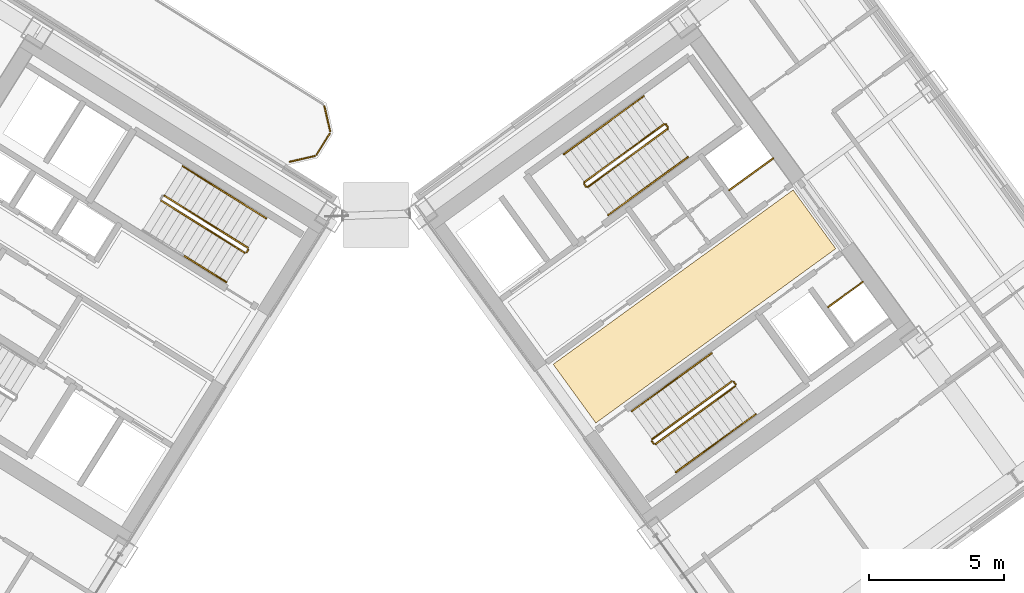
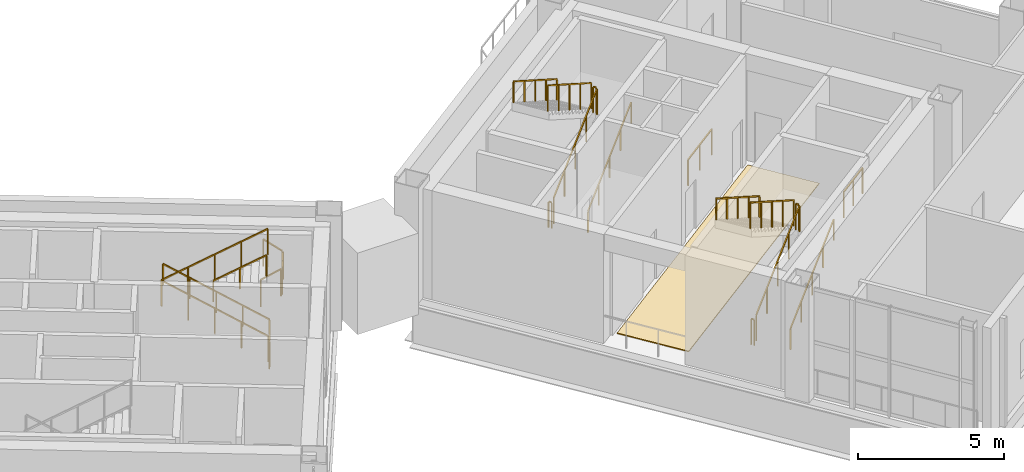
# One storey, part 21 of 22: 27 railings, 1 covering.
"""IFC4 building model written with IfcOpenShell, lengths in metres."""

from ifc_helpers import new_model, si_unit, direction, frame, origin, origin_2d, place, context, subcontext, project, spatial, polyline, rectangle, outline, extrude, source, transform, mapped, material, layer, layer_set, type_object, element, save


model = new_model("IFC4")

# Units and contexts
model_context = context("Model", 3, precision=1e-05, world=origin(), true_north=direction((0.0, 1.0)))
body_context = subcontext(model_context, "Body", "Model", "MODEL_VIEW")
ifc_project = project(units=[si_unit("LENGTHUNIT", "METRE"), si_unit("AREAUNIT", "SQUARE_METRE"), si_unit("VOLUMEUNIT", "CUBIC_METRE"), si_unit("PLANEANGLEUNIT", "RADIAN"), si_unit("MASSUNIT", "GRAM", prefix="KILO")], contexts=[model_context])

# Site, building, storey
site_placement = place(None, origin())
site = spatial("IfcSite", under=ifc_project, at=site_placement, CompositionType="ELEMENT")
building_placement = place(site_placement, origin())
building = spatial("IfcBuilding", under=site, at=building_placement, Name="Tlacorven Tower", CompositionType="ELEMENT")
storey_placement = place(building_placement, frame((0.0, 0.0, 127.800048828125)))
storey = spatial("IfcBuildingStorey", under=building, at=storey_placement, Name="L32", CompositionType="ELEMENT", Elevation=127.800048828125)

# Covering
ifc_material_1 = material(Name="Terrazzo and ceramic flooring")
ifc_layer = layer(ifc_material_1, 0.0400390625)
ifc_layer_set = layer_set([ifc_layer], Name="Terrazzo and ceramic flooring")
covering_type = type_object("IfcCoveringType", Name="CV-FLR-TERZ", PredefinedType="FLOORING", material=ifc_layer_set)
covering_placement = place(storey_placement, origin())
element("IfcCovering", 1, at=covering_placement, inside=storey, type_object=covering_type, Name="L32 Terrazzo Floor Finish 4", PredefinedType="FLOORING", context=body_context, shape_type="SweptSolid", body=[
    extrude(outline(polyline([(50.57080078125, 16.834228515625), (48.99560546875, 19.00244140625), (57.8623046875, 25.444580078125), (59.437744140625, 23.2763671875), (50.57080078125, 16.834228515625)])), origin(), (0.0, 0.0, 1.0), 0.0400390625),
])

# Railings
ifc_material_2 = material(Name="Aluminium and painted steel balustrade", Category="steel")
railing_type_1 = type_object("IfcRailingType", Name="RL-GRD-1100", PredefinedType="GUARDRAIL", material=ifc_material_2)
shared_shape_1 = source(origin(), body_context, "Body", "SweptSolid", [
    extrude(rectangle(XDim=0.048095703125, YDim=0.048095703125, at=origin_2d()), frame((0.0, 0.0, 1.076171875), z_axis=(0.808947177504, 0.587881334972, 0.0), x_axis=(-0.587881334972, 0.808947177504, 0.0)), (0.0, 0.0, 1.0), 2.0),
    extrude(rectangle(XDim=0.0419921875, YDim=0.0419921875, at=origin_2d()), origin(), (0.0, 0.0, 1.0), 1.052001953125),
    extrude(rectangle(XDim=0.0419921875, YDim=0.0419921875, at=origin_2d()), frame((0.80908203125, 0.587890625, 0.0)), (0.0, 0.0, 1.0), 1.052001953125),
    extrude(rectangle(XDim=0.0419921875, YDim=0.0419921875, at=origin_2d()), frame((1.617919921875, 1.17578125, 0.0)), (0.0, 0.0, 1.0), 1.052001953125),
])
railing_1_placement = place(storey_placement, frame((55.506103515625, 25.438232421875, 0.0)))
element("IfcRailing", 2, at=railing_1_placement, inside=storey, type_object=railing_type_1, Name="L32 Electrical Riser E Shaft Guard 1", PredefinedType="GUARDRAIL", context=body_context, shape_type="MappedRepresentation", body=[
    mapped(shared_shape_1, transform((0.0, 0.0, 0.0), scale=1.0)),
])
shared_shape_2 = source(origin(), body_context, "Body", "SweptSolid", [
    extrude(rectangle(XDim=0.048095703125, YDim=0.048095703125, at=origin_2d()), frame((0.0, 0.0, 1.076171875), z_axis=(0.809029975545, 0.58776738483, 0.0), x_axis=(-0.58776738483, 0.809029975545, 0.0)), (0.0, 0.0, 1.0), 1.580078125),
    extrude(rectangle(XDim=0.0419921875, YDim=0.0419921875, at=origin_2d()), origin(), (0.0, 0.0, 1.0), 1.052001953125),
    extrude(rectangle(XDim=0.0419921875, YDim=0.0419921875, at=origin_2d()), frame((0.63916015625, 0.46435546875, 0.0)), (0.0, 0.0, 1.0), 1.052001953125),
    extrude(rectangle(XDim=0.0419921875, YDim=0.0419921875, at=origin_2d()), frame((1.2783203125, 0.9287109375, 0.0)), (0.0, 0.0, 1.0), 1.052001953125),
])
railing_2_placement = place(storey_placement, frame((59.160888671875, 21.122314453125, 0.0)))
element("IfcRailing", 3, at=railing_2_placement, inside=storey, type_object=railing_type_1, Name="L32 Smoke Riser E Shaft Guard 1", PredefinedType="GUARDRAIL", context=body_context, shape_type="MappedRepresentation", body=[
    mapped(shared_shape_2, transform((0.0, 0.0, 0.0), scale=1.0)),
])
railing_type_2 = type_object("IfcRailingType", Name="RL-GRD-1150", PredefinedType="GUARDRAIL", material=ifc_material_2)
shared_shape_3 = source(origin(), body_context, "Body", "SweptSolid", [
    extrude(rectangle(XDim=0.048095703125, YDim=0.048095703125, at=origin_2d()), frame((0.0, 0.0, 1.1259765625), z_axis=(0.224690328384, -0.974430221376, 0.0), x_axis=(0.974430221376, 0.224690328384, 0.0)), (0.0, 0.0, 1.0), 0.948486328125),
    extrude(rectangle(XDim=0.0419921875, YDim=0.0419921875, at=origin_2d()), origin(), (0.0, 0.0, 1.0), 1.101806640625),
    extrude(rectangle(XDim=0.0419921875, YDim=0.0419921875, at=origin_2d()), frame((0.213134765625, -0.92431640625, 0.0)), (0.0, 0.0, 1.0), 1.101806640625),
])
railing_3_placement = place(storey_placement, frame((40.538330078125, 28.541748046875, 0.0)))
element("IfcRailing", 4, at=railing_3_placement, inside=storey, type_object=railing_type_2, Name="TER-L32-SGW Guard Railing 1", PredefinedType="GUARDRAIL", context=body_context, shape_type="MappedRepresentation", body=[
    mapped(shared_shape_3, transform((0.0, 0.0, 0.0), scale=1.0)),
])
shared_shape_4 = source(origin(), body_context, "Body", "SweptSolid", [
    extrude(rectangle(XDim=0.048095703125, YDim=0.048095703125, at=origin_2d()), frame((0.0, 0.0, 1.1259765625), z_axis=(-0.52987865805, -0.848073468364, 0.0), x_axis=(0.848073468364, -0.52987865805, 0.0)), (0.0, 0.0, 1.0), 0.912353515625),
    extrude(rectangle(XDim=0.0419921875, YDim=0.0419921875, at=origin_2d()), origin(), (0.0, 0.0, 1.0), 1.101806640625),
    extrude(rectangle(XDim=0.0419921875, YDim=0.0419921875, at=origin_2d()), frame((-0.4833984375, -0.773681640625, 0.0)), (0.0, 0.0, 1.0), 1.101806640625),
])
railing_4_placement = place(storey_placement, frame((40.736328125, 27.5263671875, 0.0)))
element("IfcRailing", 5, at=railing_4_placement, inside=storey, type_object=railing_type_2, Name="TER-L32-SGW Guard Railing 2", PredefinedType="GUARDRAIL", context=body_context, shape_type="MappedRepresentation", body=[
    mapped(shared_shape_4, transform((0.0, 0.0, 0.0), scale=1.0)),
])
shared_shape_5 = source(origin(), body_context, "Body", "SweptSolid", [
    extrude(rectangle(XDim=0.048095703125, YDim=0.048095703125, at=origin_2d()), frame((0.0, 0.0, 1.1259765625), z_axis=(-0.974373842523, -0.224934690535, 0.0), x_axis=(0.224934690535, -0.974373842523, 0.0)), (0.0, 0.0, 1.0), 0.94873046875),
    extrude(rectangle(XDim=0.0419921875, YDim=0.0419921875, at=origin_2d()), origin(), (0.0, 0.0, 1.0), 1.101806640625),
    extrude(rectangle(XDim=0.0419921875, YDim=0.0419921875, at=origin_2d()), frame((-0.92431640625, -0.21337890625, 0.0)), (0.0, 0.0, 1.0), 1.101806640625),
])
railing_5_placement = place(storey_placement, frame((40.177734375, 26.69921875, 0.0)))
element("IfcRailing", 6, at=railing_5_placement, inside=storey, type_object=railing_type_2, Name="TER-L32-SGW Guard Railing 3", PredefinedType="GUARDRAIL", context=body_context, shape_type="MappedRepresentation", body=[
    mapped(shared_shape_5, transform((0.0, 0.0, 0.0), scale=1.0)),
])
shared_shape_6 = source(origin(), body_context, "Body", "SweptSolid", [
    extrude(rectangle(XDim=0.048095703125, YDim=0.048095703125, at=origin_2d()), frame((0.0, 0.0, 1.076171875), z_axis=(-0.723262235119, 0.451953093932, 0.522139962209), x_axis=(-0.529926592015, -0.848043517206, 0.0)), (0.0, 0.0, 1.0), 4.26806640625),
    extrude(rectangle(XDim=0.0419921875, YDim=0.0419921875, at=origin_2d()), origin(), (0.0, 0.0, 1.0), 1.052001953125),
    extrude(rectangle(XDim=0.0419921875, YDim=0.0419921875, at=origin_2d()), frame((-0.771728515625, 0.482177734375, 0.55712890625)), (0.0, 0.0, 1.0), 1.052001953125),
    extrude(rectangle(XDim=0.0419921875, YDim=0.0419921875, at=origin_2d()), frame((-1.54345703125, 0.96435546875, 1.1142578125)), (0.0, 0.0, 1.0), 1.052001953125),
    extrude(rectangle(XDim=0.0419921875, YDim=0.0419921875, at=origin_2d()), frame((-2.315185546875, 1.44677734375, 1.67138671875)), (0.0, 0.0, 1.0), 1.052001953125),
    extrude(rectangle(XDim=0.0419921875, YDim=0.0419921875, at=origin_2d()), frame((-3.0869140625, 1.928955078125, 2.228515625)), (0.0, 0.0, 1.0), 1.052001953125),
])
railing_6_placement = place(storey_placement, frame((37.712158203125, 23.3095703125, 0.17138671875)))
element("IfcRailing", 7, at=railing_6_placement, inside=storey, type_object=railing_type_1, Name="L32 ST-W2 stair guard 1", PredefinedType="GUARDRAIL", context=body_context, shape_type="MappedRepresentation", body=[
    mapped(shared_shape_6, transform((0.0, 0.0, 0.0), scale=1.0)),
])
railing_type_3 = type_object("IfcRailingType", Name="RL-HND-0900", PredefinedType="HANDRAIL", material=ifc_material_2)
shared_shape_7 = source(origin(), body_context, "Body", "SweptSolid", [
    extrude(rectangle(XDim=0.048095703125, YDim=0.048095703125, at=origin_2d()), frame((0.0, 0.0, 0.8759765625), z_axis=(-0.723243536433, 0.451998610004, 0.522126463189), x_axis=(-0.529974825293, -0.848013375222, 0.0)), (0.0, 0.0, 1.0), 2.134033203125),
    extrude(rectangle(XDim=0.0419921875, YDim=0.0419921875, at=origin_2d()), origin(), (0.0, 0.0, 1.0), 0.851806640625),
    extrude(rectangle(XDim=0.0419921875, YDim=0.0419921875, at=origin_2d()), frame((-0.771728515625, 0.482421875, 0.55712890625)), (0.0, 0.0, 1.0), 0.851806640625),
    extrude(rectangle(XDim=0.0419921875, YDim=0.0419921875, at=origin_2d()), frame((-1.54345703125, 0.964599609375, 1.1142578125)), (0.0, 0.0, 1.0), 0.851806640625),
])
railing_7_placement = place(storey_placement, frame((36.84716796875, 25.359375, 1.28564453125)))
element("IfcRailing", 8, at=railing_7_placement, inside=storey, type_object=railing_type_3, Name="L32 ST-W2 stair handrail 2", PredefinedType="HANDRAIL", context=body_context, shape_type="MappedRepresentation", body=[
    mapped(shared_shape_7, transform((0.0, 0.0, 0.0), scale=1.0)),
])
shared_shape_8 = source(origin(), body_context, "Body", "SweptSolid", [
    extrude(rectangle(XDim=0.048095703125, YDim=0.048095703125, at=origin_2d()), frame((0.0, 0.0, 0.8759765625), z_axis=(-0.723280932889, 0.45190757433, 0.522153460567), x_axis=(-0.529878353595, -0.848073658589, 0.0)), (0.0, 0.0, 1.0), 2.134033203125),
    extrude(rectangle(XDim=0.0419921875, YDim=0.0419921875, at=origin_2d()), origin(), (0.0, 0.0, 1.0), 0.851806640625),
    extrude(rectangle(XDim=0.0419921875, YDim=0.0419921875, at=origin_2d()), frame((-0.771728515625, 0.482177734375, 0.55712890625)), (0.0, 0.0, 1.0), 0.851806640625),
    extrude(rectangle(XDim=0.0419921875, YDim=0.0419921875, at=origin_2d()), frame((-1.54345703125, 0.96435546875, 1.1142578125)), (0.0, 0.0, 1.0), 0.851806640625),
])
railing_8_placement = place(storey_placement, frame((38.390625, 24.39501953125, 0.17138671875)))
element("IfcRailing", 9, at=railing_8_placement, inside=storey, type_object=railing_type_3, Name="L32 ST-W2 stair handrail 1", PredefinedType="HANDRAIL", context=body_context, shape_type="MappedRepresentation", body=[
    mapped(shared_shape_8, transform((0.0, 0.0, 0.0), scale=1.0)),
])
shared_shape_9 = source(origin(), body_context, "Body", "SweptSolid", [
    extrude(rectangle(XDim=0.048095703125, YDim=0.048095703125, at=origin_2d()), frame((0.0, 0.0, 1.076171875), z_axis=(-0.530546985787, -0.847655529016, 0.0), x_axis=(0.847655529016, -0.530546985787, 0.0)), (0.0, 0.0, 1.0), 0.1201171875),
    extrude(rectangle(XDim=0.0419921875, YDim=0.0419921875, at=origin_2d()), origin(), (0.0, 0.0, 1.0), 1.052001953125),
    extrude(rectangle(XDim=0.0419921875, YDim=0.0419921875, at=origin_2d()), frame((-0.063720703125, -0.101806640625, 0.0)), (0.0, 0.0, 1.0), 1.052001953125),
])
railing_9_placement = place(storey_placement, frame((37.728271484375, 23.24072265625, 0.0)))
element("IfcRailing", 10, at=railing_9_placement, inside=storey, type_object=railing_type_1, Name="L32 ST-W2 stair guard 4", PredefinedType="GUARDRAIL", context=body_context, shape_type="MappedRepresentation", body=[
    mapped(shared_shape_9, transform((0.0, 0.0, 0.0), scale=1.0)),
])
shared_shape_10 = source(origin(), body_context, "Body", "SweptSolid", [
    extrude(rectangle(XDim=0.048095703125, YDim=0.048095703125, at=origin_2d()), frame((0.0, 0.0, 1.076171875), z_axis=(0.723259328995, -0.451894076168, 0.522195065992), x_axis=(0.529878353595, 0.848073658589, 0.0)), (0.0, 0.0, 1.0), 4.26806640625),
    extrude(rectangle(XDim=0.0419921875, YDim=0.0419921875, at=origin_2d()), origin(), (0.0, 0.0, 1.0), 1.052001953125),
    extrude(rectangle(XDim=0.0419921875, YDim=0.0419921875, at=origin_2d()), frame((0.771728515625, -0.482177734375, 0.55712890625)), (0.0, 0.0, 1.0), 1.052001953125),
    extrude(rectangle(XDim=0.0419921875, YDim=0.0419921875, at=origin_2d()), frame((1.54345703125, -0.96435546875, 1.1142578125)), (0.0, 0.0, 1.0), 1.052001953125),
    extrude(rectangle(XDim=0.0419921875, YDim=0.0419921875, at=origin_2d()), frame((2.315185546875, -1.446533203125, 1.671630859375)), (0.0, 0.0, 1.0), 1.052001953125),
    extrude(rectangle(XDim=0.0419921875, YDim=0.0419921875, at=origin_2d()), frame((3.0869140625, -1.9287109375, 2.228759765625)), (0.0, 0.0, 1.0), 1.052001953125),
])
railing_10_placement = place(storey_placement, frame((34.5087890625, 25.0517578125, 2.5712890625)))
element("IfcRailing", 11, at=railing_10_placement, inside=storey, type_object=railing_type_1, Name="L32 ST-W2 stair guard 3", PredefinedType="GUARDRAIL", context=body_context, shape_type="MappedRepresentation", body=[
    mapped(shared_shape_10, transform((0.0, 0.0, 0.0), scale=1.0)),
])
shared_shape_11 = source(origin(), body_context, "Body", "SweptSolid", [
    extrude(rectangle(XDim=0.048095703125, YDim=0.048095703125, at=origin_2d()), frame((0.0, 0.0, 0.8759765625), z_axis=(0.723200334916, -0.451971610764, 0.522209669233), x_axis=(0.529974825293, 0.848013375222, 0.0)), (0.0, 0.0, 1.0), 2.13427734375),
    extrude(rectangle(XDim=0.0419921875, YDim=0.0419921875, at=origin_2d()), origin(), (0.0, 0.0, 1.0), 0.851806640625),
    extrude(rectangle(XDim=0.0419921875, YDim=0.0419921875, at=origin_2d()), frame((0.771728515625, -0.482421875, 0.55712890625)), (0.0, 0.0, 1.0), 0.851806640625),
    extrude(rectangle(XDim=0.0419921875, YDim=0.0419921875, at=origin_2d()), frame((1.54345703125, -0.964599609375, 1.114501953125)), (0.0, 0.0, 1.0), 0.851806640625),
])
railing_11_placement = place(storey_placement, frame((35.3740234375, 23.001953125, 3.685546875)))
element("IfcRailing", 12, at=railing_11_placement, inside=storey, type_object=railing_type_3, Name="L32 ST-W2 stair handrail 4", PredefinedType="HANDRAIL", context=body_context, shape_type="MappedRepresentation", body=[
    mapped(shared_shape_11, transform((0.0, 0.0, 0.0), scale=1.0)),
])
shared_shape_12 = source(origin(), body_context, "Body", "SweptSolid", [
    extrude(rectangle(XDim=0.048095703125, YDim=0.048095703125, at=origin_2d()), frame((0.0, 0.0, 1.076171875), z_axis=(0.689957088216, 0.501292924636, 0.522172979126), x_axis=(-0.587792740661, 0.809011553704, 0.0)), (0.0, 0.0, 1.0), 4.267822265625),
    extrude(rectangle(XDim=0.0419921875, YDim=0.0419921875, at=origin_2d()), origin(), (0.0, 0.0, 1.0), 1.052001953125),
    extrude(rectangle(XDim=0.0419921875, YDim=0.0419921875, at=origin_2d()), frame((0.736083984375, 0.534912109375, 0.55712890625)), (0.0, 0.0, 1.0), 1.052001953125),
    extrude(rectangle(XDim=0.0419921875, YDim=0.0419921875, at=origin_2d()), frame((1.47216796875, 1.06982421875, 1.1142578125)), (0.0, 0.0, 1.0), 1.052001953125),
    extrude(rectangle(XDim=0.0419921875, YDim=0.0419921875, at=origin_2d()), frame((2.20849609375, 1.6044921875, 1.67138671875)), (0.0, 0.0, 1.0), 1.052001953125),
    extrude(rectangle(XDim=0.0419921875, YDim=0.0419921875, at=origin_2d()), frame((2.944580078125, 2.139404296875, 2.228515625)), (0.0, 0.0, 1.0), 1.052001953125),
])
railing_12_placement = place(storey_placement, frame((50.27734375, 25.557861328125, 0.17138671875)))
element("IfcRailing", 13, at=railing_12_placement, inside=storey, type_object=railing_type_1, Name="L32 ST-E1 stair guard 1", PredefinedType="GUARDRAIL", context=body_context, shape_type="MappedRepresentation", body=[
    mapped(shared_shape_12, transform((0.0, 0.0, 0.0), scale=1.0)),
])
shared_shape_13 = source(origin(), body_context, "Body", "SweptSolid", [
    extrude(rectangle(XDim=0.048095703125, YDim=0.048095703125, at=origin_2d()), frame((0.0, 0.0, 1.076171875), z_axis=(-0.587567097037, 0.809175448515, 0.0), x_axis=(-0.809175448515, -0.587567097037, 0.0)), (0.0, 0.0, 1.0), 0.1201171875),
    extrude(rectangle(XDim=0.0419921875, YDim=0.0419921875, at=origin_2d()), origin(), (0.0, 0.0, 1.0), 1.052001953125),
    extrude(rectangle(XDim=0.0419921875, YDim=0.0419921875, at=origin_2d()), frame((-0.070556640625, 0.09716796875, 0.0)), (0.0, 0.0, 1.0), 1.052001953125),
])
for number, where, name in (
    (14, (53.233154296875, 27.76708984375, 2.39990234375), "L32 ST-E1 stair guard 2"),
    (15, (55.737060546875, 18.263916015625, 2.39990234375), "L32 ST-E2 stair guard 2"),
    (16, (52.71142578125, 16.065673828125, 0.0), "L32 ST-E2 stair guard 4"),
):
    element("IfcRailing", number, at=place(storey_placement, frame(where)), inside=storey, type_object=railing_type_1, Name=name, PredefinedType="GUARDRAIL", context=body_context, shape_type="MappedRepresentation", body=[
        mapped(shared_shape_13, transform((0.0, 0.0, 0.0), scale=1.0)),
    ])
shared_shape_14 = source(origin(), body_context, "Body", "SweptSolid", [
    extrude(rectangle(XDim=0.048095703125, YDim=0.048095703125, at=origin_2d()), frame((0.0, 0.0, 1.076171875), z_axis=(-0.587201422542, 0.809440849824, 0.0), x_axis=(-0.809440849824, -0.587201422542, 0.0)), (0.0, 0.0, 1.0), 0.11962890625),
    extrude(rectangle(XDim=0.0419921875, YDim=0.0419921875, at=origin_2d()), origin(), (0.0, 0.0, 1.0), 1.052001953125),
    extrude(rectangle(XDim=0.0419921875, YDim=0.0419921875, at=origin_2d()), frame((-0.0703125, 0.096923828125, 0.0)), (0.0, 0.0, 1.0), 1.052001953125),
])
railing_13_placement = place(storey_placement, frame((50.207275390625, 25.56884765625, 0.0)))
element("IfcRailing", 17, at=railing_13_placement, inside=storey, type_object=railing_type_1, Name="L32 ST-E1 stair guard 4", PredefinedType="GUARDRAIL", context=body_context, shape_type="MappedRepresentation", body=[
    mapped(shared_shape_14, transform((0.0, 0.0, 0.0), scale=1.0)),
])
shared_shape_15 = source(origin(), body_context, "Body", "SweptSolid", [
    extrude(rectangle(XDim=0.048095703125, YDim=0.048095703125, at=origin_2d()), frame((0.0, 0.0, 0.8759765625), z_axis=(0.689967274537, 0.501315967008, 0.522137396947), x_axis=(-0.587804744085, 0.8090028324, 0.0)), (0.0, 0.0, 1.0), 2.134033203125),
    extrude(rectangle(XDim=0.0419921875, YDim=0.0419921875, at=origin_2d()), origin(), (0.0, 0.0, 1.0), 0.851806640625),
    extrude(rectangle(XDim=0.0419921875, YDim=0.0419921875, at=origin_2d()), frame((0.736328125, 0.534912109375, 0.55712890625)), (0.0, 0.0, 1.0), 0.851806640625),
    extrude(rectangle(XDim=0.0419921875, YDim=0.0419921875, at=origin_2d()), frame((1.472412109375, 1.06982421875, 1.1142578125)), (0.0, 0.0, 1.0), 0.851806640625),
])
for number, where, name in (
    (18, (51.029541015625, 24.522216796875, 0.17138671875), "L32 ST-E1 stair handrail 1"),
    (19, (53.53369140625, 15.01904296875, 0.17138671875), "L32 ST-E2 stair handrail 1"),
    (20, (55.006103515625, 16.0888671875, 1.28564453125), "L32 ST-E2 stair handrail 2"),
):
    element("IfcRailing", number, at=place(storey_placement, frame(where)), inside=storey, type_object=railing_type_3, Name=name, PredefinedType="HANDRAIL", context=body_context, shape_type="MappedRepresentation", body=[
        mapped(shared_shape_15, transform((0.0, 0.0, 0.0), scale=1.0)),
    ])
shared_shape_16 = source(origin(), body_context, "Body", "SweptSolid", [
    extrude(rectangle(XDim=0.048095703125, YDim=0.048095703125, at=origin_2d()), frame((0.0, 0.0, 0.8759765625), z_axis=(0.690006844623, 0.501230307792, 0.522167341877), x_axis=(-0.587716940517, 0.809066621379, 0.0)), (0.0, 0.0, 1.0), 2.1337890625),
    extrude(rectangle(XDim=0.0419921875, YDim=0.0419921875, at=origin_2d()), origin(), (0.0, 0.0, 1.0), 0.851806640625),
    extrude(rectangle(XDim=0.0419921875, YDim=0.0419921875, at=origin_2d()), frame((0.736328125, 0.53466796875, 0.55712890625)), (0.0, 0.0, 1.0), 0.851806640625),
    extrude(rectangle(XDim=0.0419921875, YDim=0.0419921875, at=origin_2d()), frame((1.472412109375, 1.069580078125, 1.1142578125)), (0.0, 0.0, 1.0), 0.851806640625),
])
railing_14_placement = place(storey_placement, frame((52.501953125, 25.592041015625, 1.28564453125)))
element("IfcRailing", 21, at=railing_14_placement, inside=storey, type_object=railing_type_3, Name="L32 ST-E1 stair handrail 2", PredefinedType="HANDRAIL", context=body_context, shape_type="MappedRepresentation", body=[
    mapped(shared_shape_16, transform((0.0, 0.0, 0.0), scale=1.0)),
])
shared_shape_17 = source(origin(), body_context, "Body", "SweptSolid", [
    extrude(rectangle(XDim=0.048095703125, YDim=0.048095703125, at=origin_2d()), frame((0.0, 0.0, 0.8759765625), z_axis=(-0.689967274537, -0.501315967008, 0.522137396947), x_axis=(0.587804744085, -0.8090028324, 0.0)), (0.0, 0.0, 1.0), 2.134033203125),
    extrude(rectangle(XDim=0.0419921875, YDim=0.0419921875, at=origin_2d()), origin(), (0.0, 0.0, 1.0), 0.851806640625),
    extrude(rectangle(XDim=0.0419921875, YDim=0.0419921875, at=origin_2d()), frame((-0.736328125, -0.534912109375, 0.55712890625)), (0.0, 0.0, 1.0), 0.851806640625),
    extrude(rectangle(XDim=0.0419921875, YDim=0.0419921875, at=origin_2d()), frame((-1.472412109375, -1.06982421875, 1.1142578125)), (0.0, 0.0, 1.0), 0.851806640625),
])
for number, where, name in (
    (22, (52.34033203125, 28.910888671875, 2.5712890625), "L32 ST-E1 stair handrail 3"),
    (23, (54.844482421875, 19.40771484375, 2.5712890625), "L32 ST-E2 stair handrail 3"),
):
    element("IfcRailing", number, at=place(storey_placement, frame(where)), inside=storey, type_object=railing_type_3, Name=name, PredefinedType="HANDRAIL", context=body_context, shape_type="MappedRepresentation", body=[
        mapped(shared_shape_17, transform((0.0, 0.0, 0.0), scale=1.0)),
    ])
shared_shape_18 = source(origin(), body_context, "Body", "SweptSolid", [
    extrude(rectangle(XDim=0.048095703125, YDim=0.048095703125, at=origin_2d()), frame((0.0, 0.0, 1.076171875), z_axis=(-0.689966450515, -0.501258166628, 0.522193975025), x_axis=(0.587760844897, -0.809034726823, 0.0)), (0.0, 0.0, 1.0), 4.26806640625),
    extrude(rectangle(XDim=0.0419921875, YDim=0.0419921875, at=origin_2d()), origin(), (0.0, 0.0, 1.0), 1.052001953125),
    extrude(rectangle(XDim=0.0419921875, YDim=0.0419921875, at=origin_2d()), frame((-0.736328125, -0.534912109375, 0.55712890625)), (0.0, 0.0, 1.0), 1.052001953125),
    extrude(rectangle(XDim=0.0419921875, YDim=0.0419921875, at=origin_2d()), frame((-1.472412109375, -1.06982421875, 1.1142578125)), (0.0, 0.0, 1.0), 1.052001953125),
    extrude(rectangle(XDim=0.0419921875, YDim=0.0419921875, at=origin_2d()), frame((-2.20849609375, -1.6044921875, 1.671630859375)), (0.0, 0.0, 1.0), 1.052001953125),
    extrude(rectangle(XDim=0.0419921875, YDim=0.0419921875, at=origin_2d()), frame((-2.94482421875, -2.139404296875, 2.228759765625)), (0.0, 0.0, 1.0), 1.052001953125),
])
for number, where, name in (
    (24, (53.0927734375, 27.875244140625, 2.5712890625), "L32 ST-E1 stair guard 3"),
    (25, (55.5966796875, 18.3720703125, 2.5712890625), "L32 ST-E2 stair guard 3"),
):
    element("IfcRailing", number, at=place(storey_placement, frame(where)), inside=storey, type_object=railing_type_1, Name=name, PredefinedType="GUARDRAIL", context=body_context, shape_type="MappedRepresentation", body=[
        mapped(shared_shape_18, transform((0.0, 0.0, 0.0), scale=1.0)),
    ])
shared_shape_19 = source(origin(), body_context, "Body", "SweptSolid", [
    extrude(rectangle(XDim=0.048095703125, YDim=0.048095703125, at=origin_2d()), frame((0.0, 0.0, 0.8759765625), z_axis=(-0.689926058986, -0.501286020639, 0.522220603427), x_axis=(0.587804744085, -0.8090028324, 0.0)), (0.0, 0.0, 1.0), 2.13427734375),
    extrude(rectangle(XDim=0.0419921875, YDim=0.0419921875, at=origin_2d()), origin(), (0.0, 0.0, 1.0), 0.851806640625),
    extrude(rectangle(XDim=0.0419921875, YDim=0.0419921875, at=origin_2d()), frame((-0.736328125, -0.534912109375, 0.55712890625)), (0.0, 0.0, 1.0), 0.851806640625),
    extrude(rectangle(XDim=0.0419921875, YDim=0.0419921875, at=origin_2d()), frame((-1.472412109375, -1.06982421875, 1.114501953125)), (0.0, 0.0, 1.0), 0.851806640625),
])
for number, where, name in (
    (26, (50.867919921875, 27.841064453125, 3.685546875), "L32 ST-E1 stair handrail 4"),
    (27, (53.3720703125, 18.337890625, 3.685546875), "L32 ST-E2 stair handrail 4"),
):
    element("IfcRailing", number, at=place(storey_placement, frame(where)), inside=storey, type_object=railing_type_3, Name=name, PredefinedType="HANDRAIL", context=body_context, shape_type="MappedRepresentation", body=[
        mapped(shared_shape_19, transform((0.0, 0.0, 0.0), scale=1.0)),
    ])
shared_shape_20 = source(origin(), body_context, "Body", "SweptSolid", [
    extrude(rectangle(XDim=0.048095703125, YDim=0.048095703125, at=origin_2d()), frame((0.0, 0.0, 1.076171875), z_axis=(0.689987059858, 0.501273139242, 0.522152369623), x_axis=(-0.587760844897, 0.809034726823, 0.0)), (0.0, 0.0, 1.0), 4.267822265625),
    extrude(rectangle(XDim=0.0419921875, YDim=0.0419921875, at=origin_2d()), origin(), (0.0, 0.0, 1.0), 1.052001953125),
    extrude(rectangle(XDim=0.0419921875, YDim=0.0419921875, at=origin_2d()), frame((0.736328125, 0.534912109375, 0.55712890625)), (0.0, 0.0, 1.0), 1.052001953125),
    extrude(rectangle(XDim=0.0419921875, YDim=0.0419921875, at=origin_2d()), frame((1.472412109375, 1.06982421875, 1.1142578125)), (0.0, 0.0, 1.0), 1.052001953125),
    extrude(rectangle(XDim=0.0419921875, YDim=0.0419921875, at=origin_2d()), frame((2.20849609375, 1.6044921875, 1.67138671875)), (0.0, 0.0, 1.0), 1.052001953125),
    extrude(rectangle(XDim=0.0419921875, YDim=0.0419921875, at=origin_2d()), frame((2.94482421875, 2.139404296875, 2.228515625)), (0.0, 0.0, 1.0), 1.052001953125),
])
railing_15_placement = place(storey_placement, frame((52.78125, 16.0546875, 0.17138671875)))
element("IfcRailing", 28, at=railing_15_placement, inside=storey, type_object=railing_type_1, Name="L32 ST-E2 stair guard 1", PredefinedType="GUARDRAIL", context=body_context, shape_type="MappedRepresentation", body=[
    mapped(shared_shape_20, transform((0.0, 0.0, 0.0), scale=1.0)),
])

save(model, "model.ifc")
